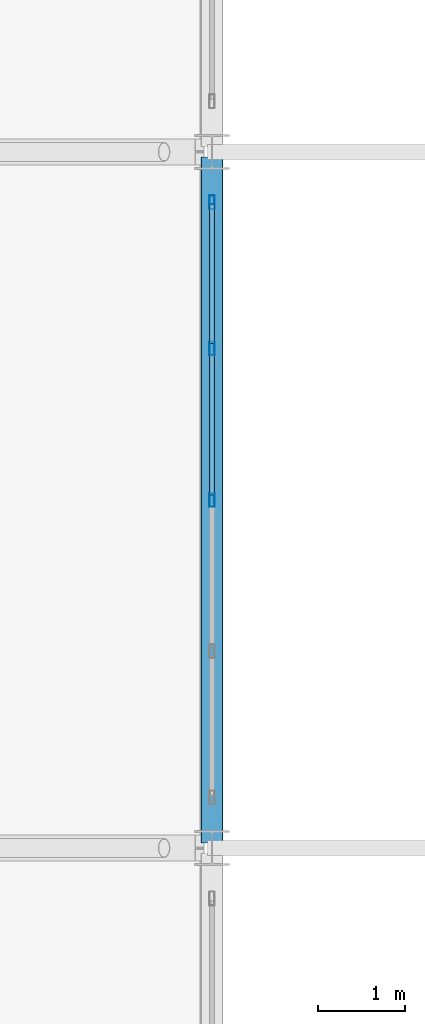
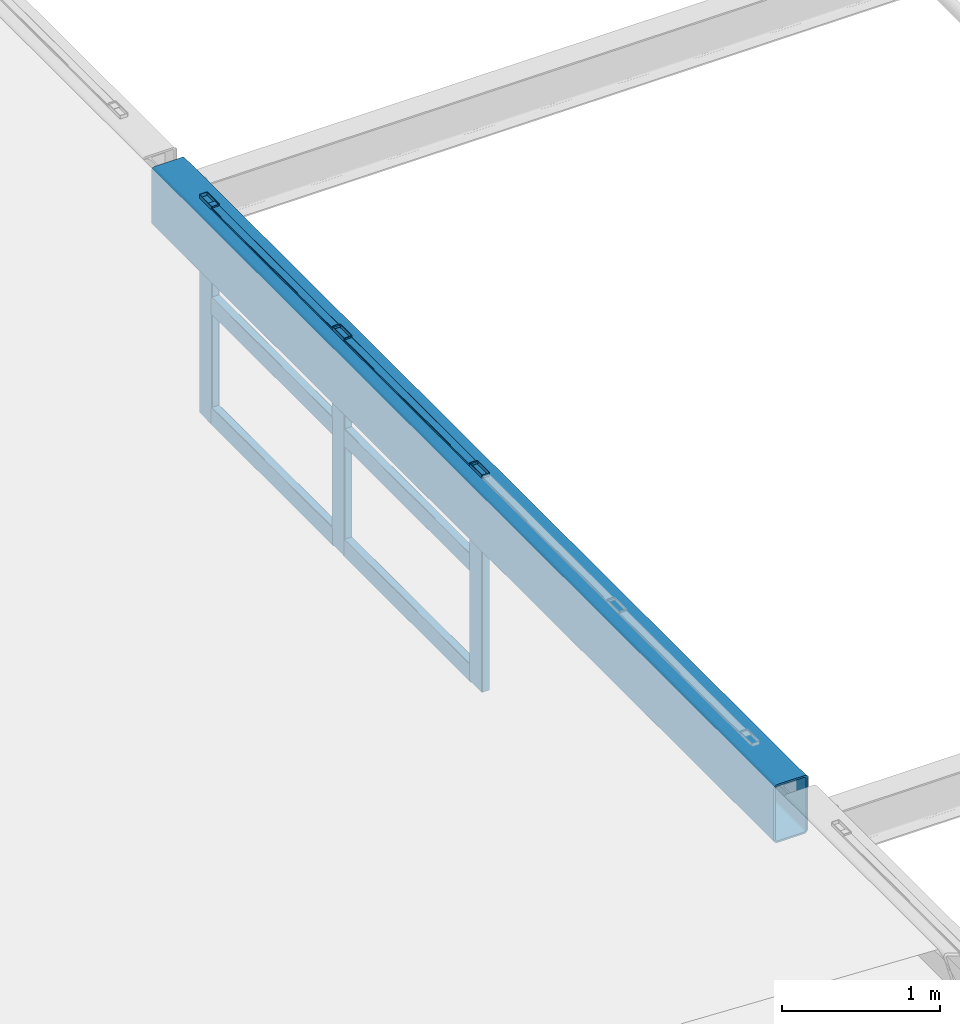
# One storey, part 42 of 128: 9 members, 1 beam, 1 element without a shape of its own.
"""IFC4 building model written with IfcOpenShell, lengths in metres."""

from ifc_helpers import new_model, si_unit, derived_unit, direction, frame, origin, origin_2d, place, context, subcontext, project, spatial, hollow_rectangle, extrude, material, material_profile, profile_set, type_object, element, aggregate, save


model = new_model("IFC4")

# Units and contexts
model_context = context("Model", 3, precision=1e-05, world=origin(), true_north=direction((0.0, 1.0)))
body_context = subcontext(model_context, "Body", "Model", "MODEL_VIEW")
ifc_project = project(units=[si_unit("LENGTHUNIT", "METRE"), si_unit("AREAUNIT", "SQUARE_METRE"), si_unit("VOLUMEUNIT", "CUBIC_METRE"), si_unit("PLANEANGLEUNIT", "RADIAN"), si_unit("MASSUNIT", "GRAM", prefix="KILO"), derived_unit("THERMALTRANSMITTANCEUNIT", [(si_unit("MASSUNIT", "GRAM", prefix="KILO"), 1), (si_unit("TIMEUNIT", "SECOND"), -3), (si_unit("THERMODYNAMICTEMPERATUREUNIT", "KELVIN"), -1)])], contexts=[model_context])

# Site, building, storey
site_placement = place(None, origin())
site = spatial("IfcSite", under=ifc_project, at=site_placement, CompositionType="ELEMENT")
building_placement = place(site_placement, origin())
building = spatial("IfcBuilding", under=site, at=building_placement, Name="Zhenchuan Archway Interchange", CompositionType="ELEMENT")
storey_placement = place(building_placement, frame((0.0, 0.0, 14.39990234375)))
storey = spatial("IfcBuildingStorey", under=building, at=storey_placement, Name="L03", CompositionType="ELEMENT", Elevation=14.39990234375)

# Beam
ifc_material_1 = material(Name="Steel Q390", Category="steel")
ifc_material_profile_1 = material_profile(ifc_material_1, hollow_rectangle(XDim=0.25, YDim=0.449951171875, WallThickness=0.013916015625, InnerFilletRadius=0.013916015625, OuterFilletRadius=0.028076171875, at=origin_2d()), Name="RHS 450x250x14")
ifc_profile_set_1 = profile_set([ifc_material_profile_1], Name="Steel Q390")
beam_type = type_object("IfcBeamType", Name="BM_RING_RHS450", PredefinedType="BEAM", material=ifc_profile_set_1)
beam_placement = place(storey_placement, frame((27.0, 72.06005859375, 1.4501953125), z_axis=(0.0, 1.0, 0.0), x_axis=(-1.0, 0.0, 0.0)))
element("IfcBeam", 1, at=beam_placement, inside=storey, type_object=beam_type, Name="CONCOURSE CABLE-NET RING BEAM W-7", PredefinedType="BEAM", context=body_context, shape_type="SweptSolid", body=[
    extrude(hollow_rectangle(XDim=0.25, YDim=0.449951171875, WallThickness=0.013916015625, InnerFilletRadius=0.013916015625, OuterFilletRadius=0.028076171875, at=origin_2d()), origin(), (0.0, 0.0, 1.0), 7.8798828125),
])

# Curtain wall, members
ifc_material_2 = material(Name="Anodised Aluminium", Category="aluminium")
curtain_wall_type = type_object("IfcCurtainWallType", Name="CW_UNIT_3", PredefinedType="NOTDEFINED", material=ifc_material_2)
curtain_wall_placement = place(storey_placement, origin())
curtain_wall = element("IfcCurtainWall", 2, at=curtain_wall_placement, inside=storey, type_object=curtain_wall_type, Name="Unitised curtain wall CW:L03:RING-W7", PredefinedType="NOTDEFINED")
ifc_material_profile_2 = material_profile(ifc_material_2, hollow_rectangle(XDim=0.06005859375, YDim=0.159912109375, WallThickness=0.00390625, InnerFilletRadius=0.00390625, OuterFilletRadius=0.008056640625, at=origin_2d()), Name="ALU 160x60x4")
ifc_profile_set_2 = profile_set([ifc_material_profile_2], Name="Anodised Aluminium")
member_type_1 = type_object("IfcMemberType", Name="CW_MUL_150", PredefinedType="MULLION", material=ifc_profile_set_2)
member_1_placement = place(storey_placement, frame((27.0, 76.0, 0.02001953125), z_axis=(0.0, 0.0, 1.0), x_axis=(1.0, 0.0, 0.0)))
member_1 = element("IfcMember", 3, at=member_1_placement, type_object=member_type_1, Name="CW:L03:RING-W7 mullion 2", PredefinedType="MULLION", context=body_context, shape_type="SweptSolid", body=[
    extrude(hollow_rectangle(XDim=0.06005859375, YDim=0.159912109375, WallThickness=0.00390625, InnerFilletRadius=0.00390625, OuterFilletRadius=0.008056640625, at=origin_2d()), origin(), (0.0, 0.0, 1.0), 1.68017578125),
])
member_2_placement = place(storey_placement, frame((27.0, 77.739990234375, 0.02001953125), z_axis=(0.0, 0.0, 1.0), x_axis=(1.0, 0.0, 0.0)))
member_2 = element("IfcMember", 4, at=member_2_placement, type_object=member_type_1, Name="CW:L03:RING-W7 mullion 3", PredefinedType="MULLION", context=body_context, shape_type="SweptSolid", body=[
    extrude(hollow_rectangle(XDim=0.06005859375, YDim=0.159912109375, WallThickness=0.00390625, InnerFilletRadius=0.00390625, OuterFilletRadius=0.008056640625, at=origin_2d()), origin(), (0.0, 0.0, 1.0), 1.68017578125),
])
member_3_placement = place(storey_placement, frame((27.0, 79.419921875, 0.02001953125), z_axis=(0.0, 0.0, 1.0), x_axis=(1.0, 0.0, 0.0)))
member_3 = element("IfcMember", 5, at=member_3_placement, type_object=member_type_1, Name="CW:L03:RING-W7 mullion 4", PredefinedType="MULLION", context=body_context, shape_type="SweptSolid", body=[
    extrude(hollow_rectangle(XDim=0.06005859375, YDim=0.159912109375, WallThickness=0.00390625, InnerFilletRadius=0.00390625, OuterFilletRadius=0.008056640625, at=origin_2d()), origin(), (0.0, 0.0, 1.0), 1.68017578125),
])
ifc_material_profile_3 = material_profile(ifc_material_2, hollow_rectangle(XDim=0.06005859375, YDim=0.139892578125, WallThickness=0.00341796875, InnerFilletRadius=0.00341796875, OuterFilletRadius=0.007080078125, at=origin_2d()), Name="ALU 140x60x3.5")
ifc_profile_set_3 = profile_set([ifc_material_profile_3], Name="Anodised Aluminium")
member_type_2 = type_object("IfcMemberType", Name="CW_TRN_140", PredefinedType="USERDEFINED", material=ifc_profile_set_3)
member_4_placement = place(storey_placement, frame((27.0, 76.06005859375, 0.080078125), z_axis=(0.0, 1.0, 0.0), x_axis=(-1.0, 0.0, 0.0)))
member_4 = element("IfcMember", 6, at=member_4_placement, type_object=member_type_2, Name="CW:L03:RING-W7 transom 2-1", ObjectType="TRANSOM", PredefinedType="USERDEFINED", context=body_context, shape_type="SweptSolid", body=[
    extrude(hollow_rectangle(XDim=0.06005859375, YDim=0.139892578125, WallThickness=0.00341796875, InnerFilletRadius=0.00341796875, OuterFilletRadius=0.007080078125, at=origin_2d()), origin(), (0.0, 0.0, 1.0), 1.619873046875),
])
member_5_placement = place(storey_placement, frame((27.0, 76.06005859375, 0.93310546875), z_axis=(0.0, 1.0, 0.0), x_axis=(-1.0, 0.0, 0.0)))
member_5 = element("IfcMember", 7, at=member_5_placement, type_object=member_type_2, Name="CW:L03:RING-W7 transom 2-2", ObjectType="TRANSOM", PredefinedType="USERDEFINED", context=body_context, shape_type="SweptSolid", body=[
    extrude(hollow_rectangle(XDim=0.06005859375, YDim=0.139892578125, WallThickness=0.00341796875, InnerFilletRadius=0.00341796875, OuterFilletRadius=0.007080078125, at=origin_2d()), origin(), (0.0, 0.0, 1.0), 1.619873046875),
])
member_6_placement = place(storey_placement, frame((27.0, 76.06005859375, 1.6201171875), z_axis=(0.0, 1.0, 0.0), x_axis=(-1.0, 0.0, 0.0)))
member_6 = element("IfcMember", 8, at=member_6_placement, type_object=member_type_2, Name="CW:L03:RING-W7 transom 2-3", ObjectType="TRANSOM", PredefinedType="USERDEFINED", context=body_context, shape_type="SweptSolid", body=[
    extrude(hollow_rectangle(XDim=0.06005859375, YDim=0.139892578125, WallThickness=0.00341796875, InnerFilletRadius=0.00341796875, OuterFilletRadius=0.007080078125, at=origin_2d()), origin(), (0.0, 0.0, 1.0), 1.619873046875),
])
member_7_placement = place(storey_placement, frame((27.0, 77.800048828125, 0.080078125), z_axis=(0.0, 1.0, 0.0), x_axis=(-1.0, 0.0, 0.0)))
member_7 = element("IfcMember", 9, at=member_7_placement, type_object=member_type_2, Name="CW:L03:RING-W7 transom 3-1", ObjectType="TRANSOM", PredefinedType="USERDEFINED", context=body_context, shape_type="SweptSolid", body=[
    extrude(hollow_rectangle(XDim=0.06005859375, YDim=0.139892578125, WallThickness=0.00341796875, InnerFilletRadius=0.00341796875, OuterFilletRadius=0.007080078125, at=origin_2d()), origin(), (0.0, 0.0, 1.0), 1.599853515625),
])
member_8_placement = place(storey_placement, frame((27.0, 77.800048828125, 0.93310546875), z_axis=(0.0, 1.0, 0.0), x_axis=(-1.0, 0.0, 0.0)))
member_8 = element("IfcMember", 10, at=member_8_placement, type_object=member_type_2, Name="CW:L03:RING-W7 transom 3-2", ObjectType="TRANSOM", PredefinedType="USERDEFINED", context=body_context, shape_type="SweptSolid", body=[
    extrude(hollow_rectangle(XDim=0.06005859375, YDim=0.139892578125, WallThickness=0.00341796875, InnerFilletRadius=0.00341796875, OuterFilletRadius=0.007080078125, at=origin_2d()), origin(), (0.0, 0.0, 1.0), 1.599853515625),
])
member_9_placement = place(storey_placement, frame((27.0, 77.800048828125, 1.6201171875), z_axis=(0.0, 1.0, 0.0), x_axis=(-1.0, 0.0, 0.0)))
member_9 = element("IfcMember", 11, at=member_9_placement, type_object=member_type_2, Name="CW:L03:RING-W7 transom 3-3", ObjectType="TRANSOM", PredefinedType="USERDEFINED", context=body_context, shape_type="SweptSolid", body=[
    extrude(hollow_rectangle(XDim=0.06005859375, YDim=0.139892578125, WallThickness=0.00341796875, InnerFilletRadius=0.00341796875, OuterFilletRadius=0.007080078125, at=origin_2d()), origin(), (0.0, 0.0, 1.0), 1.599853515625),
])
aggregate(curtain_wall, [member_1, member_2, member_3, member_4, member_5, member_6, member_7, member_8, member_9])

save(model, "model.ifc")
